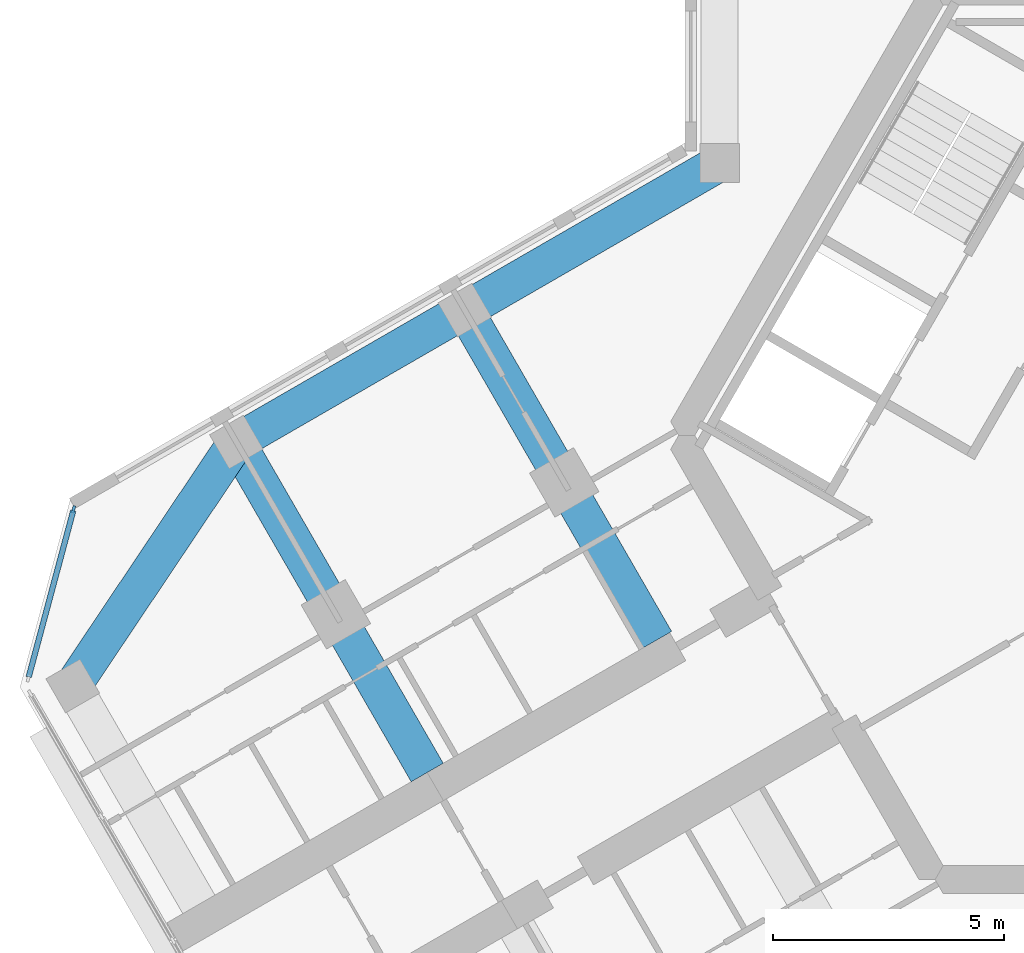
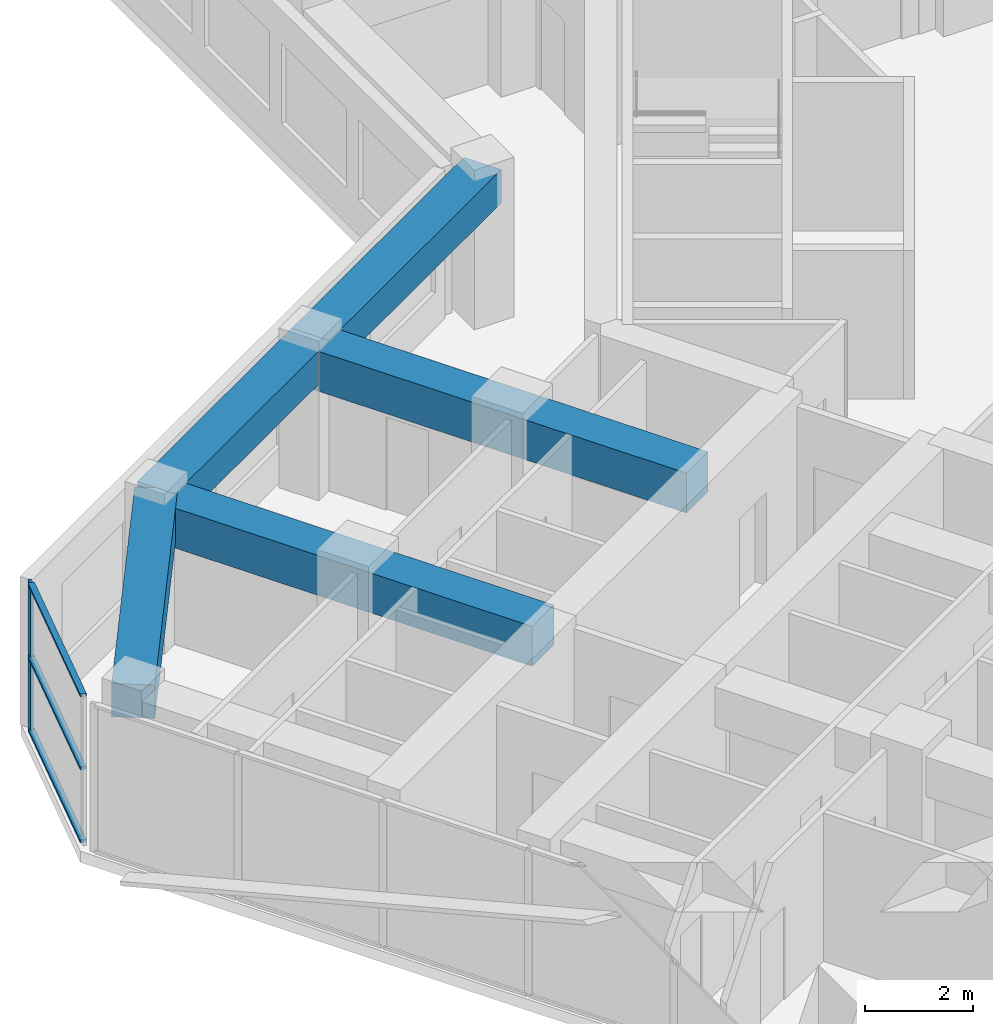
# One storey, part 3 of 16: 5 beams, 4 members, 1 element without a shape of its own.
"""IFC4 building model written with IfcOpenShell, lengths in metres."""

from ifc_helpers import new_model, si_unit, direction, frame, origin, origin_2d, place, context, subcontext, project, spatial, rectangle, extrude, material, material_profile, profile_set, type_object, element, aggregate, save


model = new_model("IFC4")

# Units and contexts
model_context = context("Model", 3, precision=1e-05, world=origin(), true_north=direction((0.0, 1.0)))
body_context = subcontext(model_context, "Body", "Model", "MODEL_VIEW")
ifc_project = project(units=[si_unit("LENGTHUNIT", "METRE"), si_unit("AREAUNIT", "SQUARE_METRE"), si_unit("VOLUMEUNIT", "CUBIC_METRE"), si_unit("PLANEANGLEUNIT", "RADIAN"), si_unit("MASSUNIT", "GRAM", prefix="KILO")], contexts=[model_context])

# Site, building, storey
site_placement = place(None, origin())
site = spatial("IfcSite", under=ifc_project, at=site_placement, CompositionType="ELEMENT")
building_placement = place(site_placement, origin())
building = spatial("IfcBuilding", under=site, at=building_placement, Name="Kosmar Iwan School Tower", CompositionType="ELEMENT")
storey_placement = place(building_placement, frame((0.0, 0.0, 238.800048828125)))
storey = spatial("IfcBuildingStorey", under=building, at=storey_placement, Name="L60", CompositionType="ELEMENT", Elevation=238.800048828125)

# Curtain wall, member
ifc_material_1 = material(Name="Dark glass in black aluminium frame", Category="aluminium")
curtain_wall_type = type_object("IfcCurtainWallType", Name="Chamfer curtain wall dark glass", PredefinedType="USERDEFINED", material=ifc_material_1)
curtain_wall_placement = place(storey_placement, origin())
curtain_wall = element("IfcCurtainWall", 1, at=curtain_wall_placement, inside=storey, type_object=curtain_wall_type, Name="Curtain wall L60-F10", ObjectType="FACETED CURTAIN WALL", PredefinedType="USERDEFINED")
ifc_material_2 = material(Name="Black anodised aluminium", Category="aluminium")
ifc_material_profile_1 = material_profile(ifc_material_2, rectangle(XDim=0.06005859375, YDim=0.159912109375, at=origin_2d()), Name="MULLION 60x160")
ifc_profile_set_1 = profile_set([ifc_material_profile_1], Name="Black anodised aluminium")
member_type_1 = type_object("IfcMemberType", Name="Mullion 60x160", PredefinedType="MULLION", material=ifc_profile_set_1)
member_1_placement = place(storey_placement, frame((-24.163818359375, -1.59814453125, 0.0), z_axis=(0.0, 0.0, 1.0), x_axis=(0.965925875495, -0.258818861462, 0.0)))
member_1 = element("IfcMember", 2, at=member_1_placement, type_object=member_type_1, Name="CW2 mullion 1", PredefinedType="MULLION", context=body_context, shape_type="SweptSolid", body=[
    extrude(rectangle(XDim=0.06005859375, YDim=0.159912109375, at=origin_2d()), origin(), (0.0, 0.0, 1.0), 3.349853515625),
])

# Beams
ifc_material_3 = material(Name="Concrete C50/60", Category="concrete")
ifc_material_profile_2 = material_profile(ifc_material_3, rectangle(XDim=0.800048828125, YDim=0.75, at=origin_2d()), Name="RC 800x750")
ifc_profile_set_2 = profile_set([ifc_material_profile_2], Name="Concrete C50/60")
beam_type_1 = type_object("IfcBeamType", Name="RC edge beam 800x750", PredefinedType="BEAM", material=ifc_profile_set_2)
beam_1_placement = place(storey_placement, frame((-10.199951171875, 5.888916015625, 2.974853515625), z_axis=(-0.866030912664, -0.49999045822, 0.0), x_axis=(0.49999045822, -0.866030912664, 0.0)))
element("IfcBeam", 3, at=beam_1_placement, inside=storey, type_object=beam_type_1, Name="Edge beam BR1", PredefinedType="BEAM", context=body_context, shape_type="SweptSolid", body=[
    extrude(rectangle(XDim=0.800048828125, YDim=0.75, at=origin_2d()), origin(), (0.0, 0.0, 1.0), 6.36083984375),
])
beam_2_placement = place(storey_placement, frame((-15.708740234375, 2.70849609375, 2.974853515625), z_axis=(-0.866025820012, -0.499999279071, 0.0), x_axis=(0.499999279071, -0.866025820012, 0.0)))
element("IfcBeam", 4, at=beam_2_placement, inside=storey, type_object=beam_type_1, Name="Edge beam BR2", PredefinedType="BEAM", context=body_context, shape_type="SweptSolid", body=[
    extrude(rectangle(XDim=0.800048828125, YDim=0.75, at=origin_2d()), origin(), (0.0, 0.0, 1.0), 5.7001953125),
])
ifc_material_4 = material(Name="Concrete C50/60", Category="concrete")
ifc_material_profile_3 = material_profile(ifc_material_4, rectangle(XDim=0.800048828125, YDim=0.75, at=origin_2d()), Name="RC 800x750")
ifc_profile_set_3 = profile_set([ifc_material_profile_3], Name="Concrete C50/60")
beam_type_2 = type_object("IfcBeamType", Name="RC tip beam 800x750", PredefinedType="BEAM", material=ifc_profile_set_3)
beam_3_placement = place(storey_placement, frame((-20.645263671875, -0.1416015625, 2.974853515625), z_axis=(-0.556827604145, -0.83062808721, 0.0), x_axis=(0.83062808721, -0.556827604145, 0.0)))
element("IfcBeam", 5, at=beam_3_placement, inside=storey, type_object=beam_type_2, Name="Tip beam BR", PredefinedType="BEAM", context=body_context, shape_type="SweptSolid", body=[
    extrude(rectangle(XDim=0.800048828125, YDim=0.75, at=origin_2d()), origin(), (0.0, 0.0, 1.0), 6.3505859375),
])
ifc_material_5 = material(Name="Concrete C50/60", Category="concrete")
ifc_material_profile_4 = material_profile(ifc_material_5, rectangle(XDim=0.800048828125, YDim=0.89990234375, at=origin_2d()), Name="RC 800x900")
ifc_profile_set_4 = profile_set([ifc_material_profile_4], Name="Concrete C50/60")
beam_type_3 = type_object("IfcBeamType", Name="RC transverse beam 800x900", PredefinedType="BEAM", material=ifc_profile_set_4)
beam_4_placement = place(storey_placement, frame((-15.708740234375, 2.70849609375, 2.89990234375), z_axis=(0.499996545922, -0.866027397988, 0.0), x_axis=(0.866027397988, 0.499996545922, 0.0)))
element("IfcBeam", 6, at=beam_4_placement, inside=storey, type_object=beam_type_3, Name="Transverse beam BR1", PredefinedType="BEAM", context=body_context, shape_type="SweptSolid", body=[
    extrude(rectangle(XDim=0.800048828125, YDim=0.89990234375, at=origin_2d()), origin(), (0.0, 0.0, 1.0), 8.25),
])
beam_5_placement = place(storey_placement, frame((-20.645263671875, -0.1416015625, 2.89990234375), z_axis=(0.500009360108, -0.866019999656, 0.0), x_axis=(0.866019999656, 0.500009360108, 0.0)))
element("IfcBeam", 7, at=beam_5_placement, inside=storey, type_object=beam_type_3, Name="Transverse beam BR2", PredefinedType="BEAM", context=body_context, shape_type="SweptSolid", body=[
    extrude(rectangle(XDim=0.800048828125, YDim=0.89990234375, at=origin_2d()), origin(), (0.0, 0.0, 1.0), 8.249755859375),
])

# Member
ifc_material_6 = material(Name="Black anodised aluminium", Category="aluminium")
ifc_material_profile_5 = material_profile(ifc_material_6, rectangle(XDim=0.1201171875, YDim=0.06005859375, at=origin_2d()), Name="TRANSOM 60x120")
ifc_profile_set_5 = profile_set([ifc_material_profile_5], Name="Black anodised aluminium")
member_type_2 = type_object("IfcMemberType", Name="Transom 60x120", PredefinedType="USERDEFINED", material=ifc_profile_set_5)
member_2_placement = place(storey_placement, frame((-24.17138671875, -1.627197265625, 0.030029296875), z_axis=(-0.258843273983, -0.965919333854, 0.0), x_axis=(0.965919333854, -0.258843273983, 0.0)))
member_2 = element("IfcMember", 8, at=member_2_placement, type_object=member_type_2, Name="CW2 transom 1.1", ObjectType="TRANSOM", PredefinedType="USERDEFINED", context=body_context, shape_type="SweptSolid", body=[
    extrude(rectangle(XDim=0.1201171875, YDim=0.06005859375, at=origin_2d()), origin(), (0.0, 0.0, 1.0), 3.718994140625),
])

member_3_placement = place(storey_placement, frame((-24.17138671875, -1.627197265625, 1.675048828125), z_axis=(-0.258843273983, -0.965919333854, 0.0), x_axis=(0.965919333854, -0.258843273983, 0.0)))
member_3 = element("IfcMember", 9, at=member_3_placement, type_object=member_type_2, Name="CW2 transom 1.2", ObjectType="TRANSOM", PredefinedType="USERDEFINED", context=body_context, shape_type="SweptSolid", body=[
    extrude(rectangle(XDim=0.1201171875, YDim=0.06005859375, at=origin_2d()), origin(), (0.0, 0.0, 1.0), 3.718994140625),
])

member_4_placement = place(storey_placement, frame((-24.17138671875, -1.627197265625, 3.320068359375), z_axis=(-0.258843273983, -0.965919333854, 0.0), x_axis=(0.965919333854, -0.258843273983, 0.0)))
member_4 = element("IfcMember", 10, at=member_4_placement, type_object=member_type_2, Name="CW2 transom 1.3", ObjectType="TRANSOM", PredefinedType="USERDEFINED", context=body_context, shape_type="SweptSolid", body=[
    extrude(rectangle(XDim=0.1201171875, YDim=0.06005859375, at=origin_2d()), origin(), (0.0, 0.0, 1.0), 3.718994140625),
])

aggregate(curtain_wall, [member_1, member_2, member_3, member_4])

save(model, "model.ifc")
